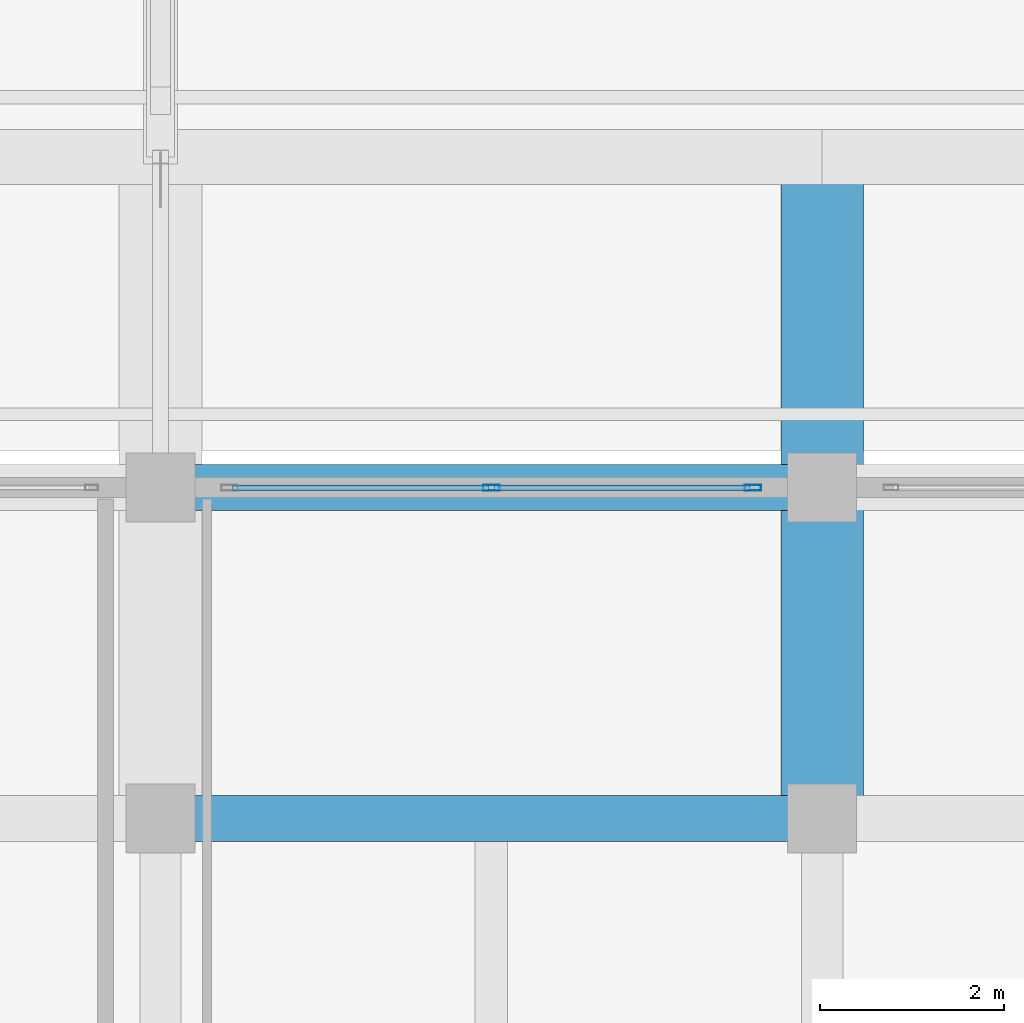
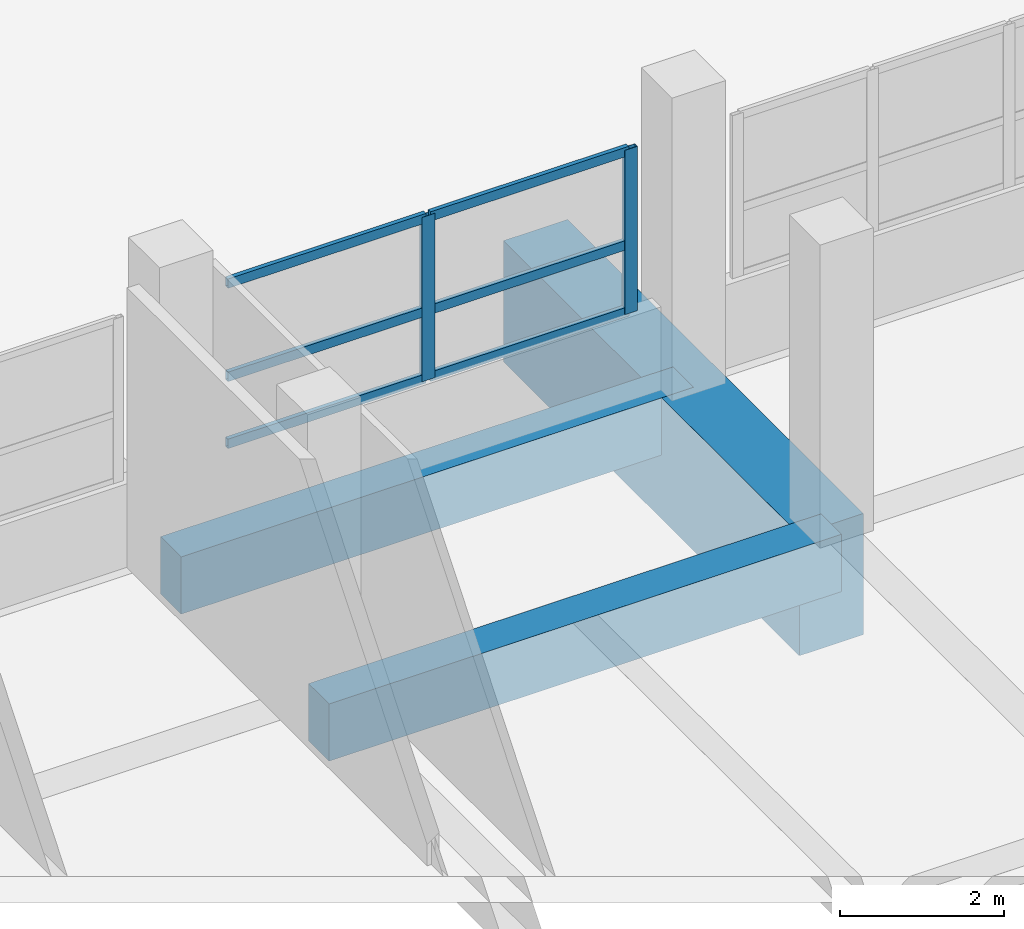
# One storey, part 92 of 141: 8 members, 3 beams, 1 element without a shape of its own.
"""IFC4 building model written with IfcOpenShell, lengths in metres."""

from ifc_helpers import new_model, si_unit, direction, frame, origin, origin_2d, place, context, subcontext, project, spatial, rectangle, hollow_rectangle, extrude, material, layer, layer_set, material_profile, profile_set, type_object, element, aggregate, save


model = new_model("IFC4")

# Units and contexts
model_context = context("Model", 3, precision=1e-05, world=origin(), true_north=direction((0.0, 1.0)))
body_context = subcontext(model_context, "Body", "Model", "MODEL_VIEW")
ifc_project = project(units=[si_unit("LENGTHUNIT", "METRE"), si_unit("AREAUNIT", "SQUARE_METRE"), si_unit("VOLUMEUNIT", "CUBIC_METRE"), si_unit("PLANEANGLEUNIT", "RADIAN"), si_unit("MASSUNIT", "GRAM", prefix="KILO")], contexts=[model_context])

# Site, building, storey
site_placement = place(None, origin())
site = spatial("IfcSite", under=ifc_project, at=site_placement, CompositionType="ELEMENT")
building_placement = place(site_placement, origin())
building = spatial("IfcBuilding", under=site, at=building_placement, Name="Seraya Terrace Polytechnic", CompositionType="ELEMENT")
storey_placement = place(building_placement, frame((0.0, 0.0, 14.39990234375)))
storey = spatial("IfcBuildingStorey", under=building, at=storey_placement, Name="L03", CompositionType="ELEMENT", Elevation=14.39990234375)

# Beams
ifc_material_1 = material(Name="Concrete C40/50", Category="concrete")
ifc_material_profile_1 = material_profile(ifc_material_1, rectangle(XDim=0.5, YDim=0.85009765625, at=origin_2d()), Name="RC 500x850")
ifc_profile_set_1 = profile_set([ifc_material_profile_1], Name="Concrete C40/50")
beam_type_1 = type_object("IfcBeamType", Name="BM-05", PredefinedType="BEAM", material=ifc_profile_set_1)
for number, where, z_axis, x_axis, name in (
    (1, (86.39990234375, 72.0, -0.4248046875), (1.0, 0.0, 0.0), (0.0, 1.0, 0.0), "Beam BM-05 L03 X (86.4..93.6, 72.0)"),
    (2, (86.39990234375, 75.60009765625, -0.4248046875), (1.0, 0.0, 0.0), (0.0, 1.0, 0.0), "Beam BM-05 L03 X (86.4..93.6, 75.6)"),
):
    element("IfcBeam", number, at=place(storey_placement, frame(where, z_axis=z_axis, x_axis=x_axis)), inside=storey, type_object=beam_type_1, Name=name, PredefinedType="BEAM", context=body_context, shape_type="SweptSolid", body=[
        extrude(rectangle(XDim=0.5, YDim=0.85009765625, at=origin_2d()), origin(), (0.0, 0.0, 1.0), 7.2001953125),
    ])

# Curtain wall, members
ifc_material_2 = material(Name="Anodised aluminium EN AW-6063 T6", Category="aluminium")
ifc_layer = layer(ifc_material_2, 0.179931640625, Name="CW-16")
ifc_layer_set = layer_set([ifc_layer], Name="Anodised aluminium EN AW-6063 T6")
curtain_wall_type = type_object("IfcCurtainWallType", Name="CW-16", PredefinedType="NOTDEFINED", material=ifc_layer_set)
curtain_wall_placement = place(storey_placement, origin())
curtain_wall = element("IfcCurtainWall", 3, at=curtain_wall_placement, inside=storey, type_object=curtain_wall_type, Name="Unitised curtain wall CW-16 (CW-L03-124)", PredefinedType="NOTDEFINED")
ifc_material_profile_2 = material_profile(ifc_material_2, hollow_rectangle(XDim=0.06494140625, YDim=0.179931640625, WallThickness=0.00390625, at=origin_2d()), Name="RHS 180x65x4.0")
ifc_profile_set_2 = profile_set([ifc_material_profile_2], Name="Anodised aluminium EN AW-6063 T6")
member_type_1 = type_object("IfcMemberType", Name="CWM-01", PredefinedType="MULLION", material=ifc_profile_set_2)
member_1_placement = place(storey_placement, frame((90.0, 75.60009765625, 1.239990234375), z_axis=(0.0, 0.0, 1.0), x_axis=(0.0, 1.0, 0.0)))
member_1 = element("IfcMember", 4, at=member_1_placement, type_object=member_type_1, Name="CW-16 mullion 2", PredefinedType="MULLION", context=body_context, shape_type="SweptSolid", body=[
    extrude(hollow_rectangle(XDim=0.06494140625, YDim=0.179931640625, WallThickness=0.00390625, at=origin_2d()), origin(), (0.0, 0.0, 1.0), 2.440185546875),
])
member_2_placement = place(storey_placement, frame((92.847412109375, 75.60009765625, 1.239990234375), z_axis=(0.0, 0.0, 1.0), x_axis=(0.0, 1.0, 0.0)))
member_2 = element("IfcMember", 5, at=member_2_placement, type_object=member_type_1, Name="CW-16 mullion 3", PredefinedType="MULLION", context=body_context, shape_type="SweptSolid", body=[
    extrude(hollow_rectangle(XDim=0.06494140625, YDim=0.179931640625, WallThickness=0.00390625, at=origin_2d()), origin(), (0.0, 0.0, 1.0), 2.440185546875),
])
ifc_material_profile_3 = material_profile(ifc_material_2, hollow_rectangle(XDim=0.06005859375, YDim=0.139892578125, WallThickness=0.00341796875, at=origin_2d()), Name="RHS 140x60x3.5")
ifc_profile_set_3 = profile_set([ifc_material_profile_3], Name="Anodised aluminium EN AW-6063 T6")
member_type_2 = type_object("IfcMemberType", Name="CWT-01", PredefinedType="USERDEFINED", material=ifc_profile_set_3)
member_3_placement = place(storey_placement, frame((87.18505859375, 75.60009765625, 1.27001953125), z_axis=(1.0, 0.0, 0.0), x_axis=(0.0, 1.0, 0.0)))
member_3 = element("IfcMember", 6, at=member_3_placement, type_object=member_type_2, Name="CW-16 transom 1.1", ObjectType="TRANSOM", PredefinedType="USERDEFINED", context=body_context, shape_type="SweptSolid", body=[
    extrude(hollow_rectangle(XDim=0.06005859375, YDim=0.139892578125, WallThickness=0.00341796875, at=origin_2d()), origin(), (0.0, 0.0, 1.0), 2.782470703125),
])
member_4_placement = place(storey_placement, frame((87.18505859375, 75.60009765625, 2.264892578125), z_axis=(1.0, 0.0, 0.0), x_axis=(0.0, 1.0, 0.0)))
member_4 = element("IfcMember", 7, at=member_4_placement, type_object=member_type_2, Name="CW-16 transom 1.2", ObjectType="TRANSOM", PredefinedType="USERDEFINED", context=body_context, shape_type="SweptSolid", body=[
    extrude(hollow_rectangle(XDim=0.06005859375, YDim=0.139892578125, WallThickness=0.00341796875, at=origin_2d()), origin(), (0.0, 0.0, 1.0), 2.782470703125),
])
member_5_placement = place(storey_placement, frame((87.18505859375, 75.60009765625, 3.650146484375), z_axis=(1.0, 0.0, 0.0), x_axis=(0.0, 1.0, 0.0)))
member_5 = element("IfcMember", 8, at=member_5_placement, type_object=member_type_2, Name="CW-16 transom 1.3", ObjectType="TRANSOM", PredefinedType="USERDEFINED", context=body_context, shape_type="SweptSolid", body=[
    extrude(hollow_rectangle(XDim=0.06005859375, YDim=0.139892578125, WallThickness=0.00341796875, at=origin_2d()), origin(), (0.0, 0.0, 1.0), 2.782470703125),
])
member_6_placement = place(storey_placement, frame((90.032470703125, 75.60009765625, 1.27001953125), z_axis=(1.0, 0.0, 0.0), x_axis=(0.0, 1.0, 0.0)))
member_6 = element("IfcMember", 9, at=member_6_placement, type_object=member_type_2, Name="CW-16 transom 2.1", ObjectType="TRANSOM", PredefinedType="USERDEFINED", context=body_context, shape_type="SweptSolid", body=[
    extrude(hollow_rectangle(XDim=0.06005859375, YDim=0.139892578125, WallThickness=0.00341796875, at=origin_2d()), origin(), (0.0, 0.0, 1.0), 2.782470703125),
])
member_7_placement = place(storey_placement, frame((90.032470703125, 75.60009765625, 2.264892578125), z_axis=(1.0, 0.0, 0.0), x_axis=(0.0, 1.0, 0.0)))
member_7 = element("IfcMember", 10, at=member_7_placement, type_object=member_type_2, Name="CW-16 transom 2.2", ObjectType="TRANSOM", PredefinedType="USERDEFINED", context=body_context, shape_type="SweptSolid", body=[
    extrude(hollow_rectangle(XDim=0.06005859375, YDim=0.139892578125, WallThickness=0.00341796875, at=origin_2d()), origin(), (0.0, 0.0, 1.0), 2.782470703125),
])
member_8_placement = place(storey_placement, frame((90.032470703125, 75.60009765625, 3.650146484375), z_axis=(1.0, 0.0, 0.0), x_axis=(0.0, 1.0, 0.0)))
member_8 = element("IfcMember", 11, at=member_8_placement, type_object=member_type_2, Name="CW-16 transom 2.3", ObjectType="TRANSOM", PredefinedType="USERDEFINED", context=body_context, shape_type="SweptSolid", body=[
    extrude(hollow_rectangle(XDim=0.06005859375, YDim=0.139892578125, WallThickness=0.00341796875, at=origin_2d()), origin(), (0.0, 0.0, 1.0), 2.782470703125),
])
aggregate(curtain_wall, [member_1, member_2, member_3, member_4, member_5, member_6, member_7, member_8])

# Beam
ifc_material_profile_4 = material_profile(ifc_material_1, rectangle(XDim=0.89990234375, YDim=1.800048828125, at=origin_2d()), Name="RC 900x1800")
ifc_profile_set_4 = profile_set([ifc_material_profile_4], Name="Concrete C40/50")
beam_type_2 = type_object("IfcBeamType", Name="TG-01", PredefinedType="USERDEFINED", material=ifc_profile_set_4)
beam_placement = place(storey_placement, frame((93.60009765625, 72.0, -0.89990234375), z_axis=(0.0, 1.0, 0.0), x_axis=(-1.0, 0.0, 0.0)))
element("IfcBeam", 12, at=beam_placement, inside=storey, type_object=beam_type_2, Name="Transfer girder TG-01 L03 #19", ObjectType="GIRDER", PredefinedType="USERDEFINED", context=body_context, shape_type="SweptSolid", body=[
    extrude(rectangle(XDim=0.89990234375, YDim=1.800048828125, at=origin_2d()), origin(), (0.0, 0.0, 1.0), 7.199951171875),
])

save(model, "model.ifc")
